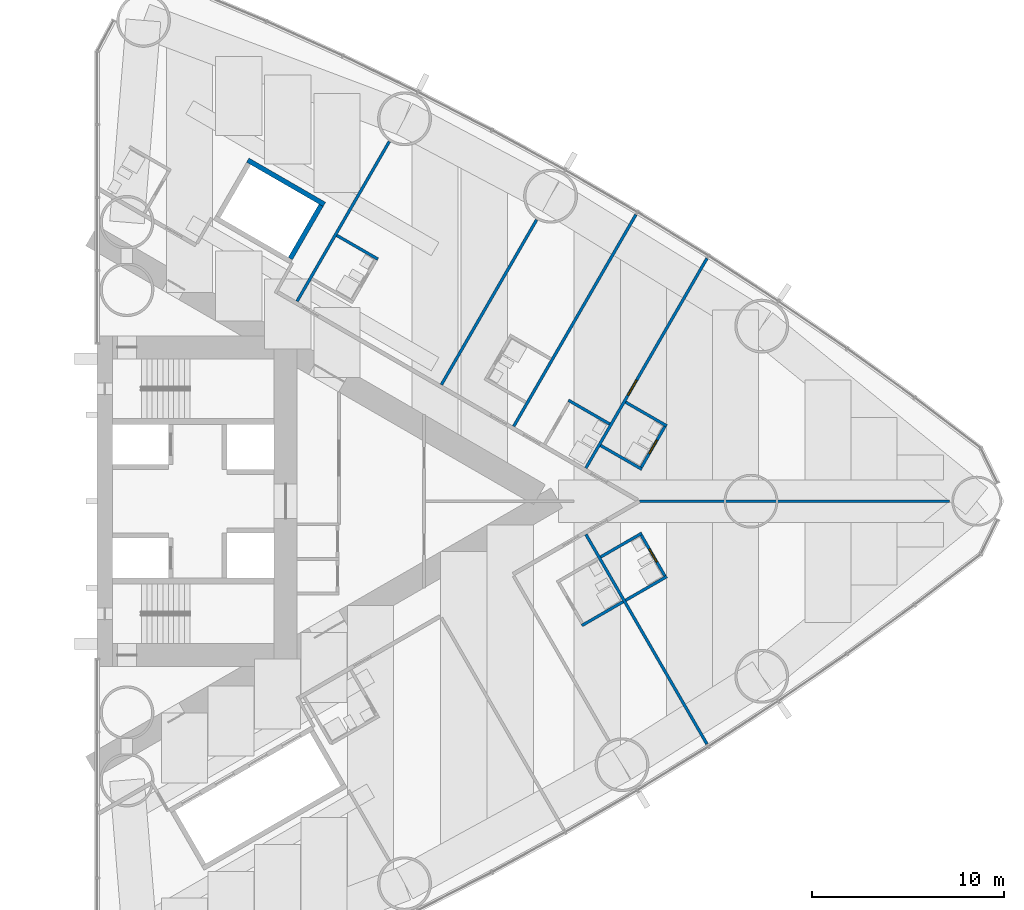
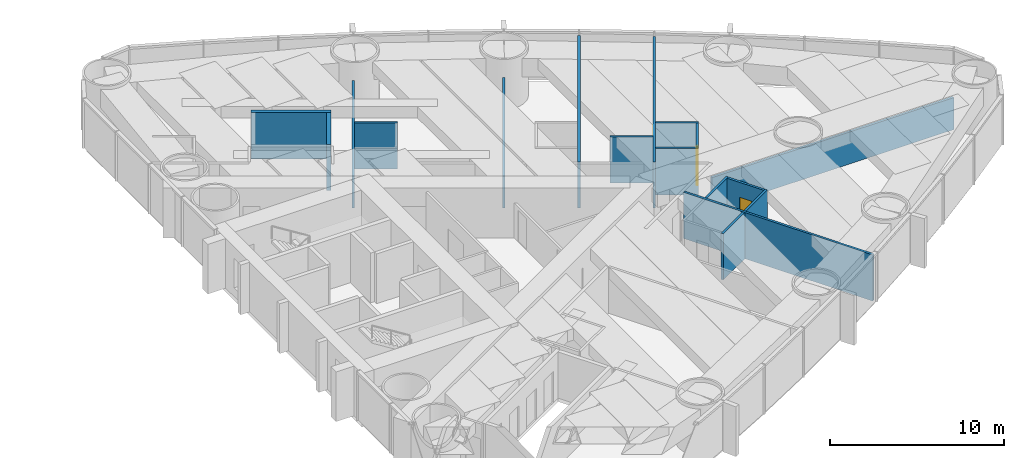
# One storey, part 16 of 19: 17 walls, 3 doors, 3 openings.
"""IFC4 building model written with IfcOpenShell, lengths in metres."""

from ifc_helpers import new_model, si_unit, direction, frame, frame_2d, origin, place, context, subcontext, project, spatial, rectangle, extrude, material, layer, layer_set, type_object, element, fill, save


model = new_model("IFC4")

# Units and contexts
model_context = context("Model", 3, precision=1e-05, world=origin(), true_north=direction((0.0, 1.0)))
body_context = subcontext(model_context, "Body", "Model", "MODEL_VIEW")
ifc_project = project(units=[si_unit("LENGTHUNIT", "METRE"), si_unit("AREAUNIT", "SQUARE_METRE"), si_unit("VOLUMEUNIT", "CUBIC_METRE"), si_unit("PLANEANGLEUNIT", "RADIAN"), si_unit("MASSUNIT", "GRAM", prefix="KILO")], contexts=[model_context])

# Site, building, storey
site_placement = place(None, origin())
site = spatial("IfcSite", under=ifc_project, at=site_placement, CompositionType="ELEMENT")
building_placement = place(site_placement, origin())
building = spatial("IfcBuilding", under=site, at=building_placement, Name="Lancet Gate Hotel", CompositionType="ELEMENT")
storey_placement = place(building_placement, frame((0.0, 0.0, 21.5)))
storey = spatial("IfcBuildingStorey", under=building, at=storey_placement, Name="L04", CompositionType="ELEMENT", Elevation=21.5)

# Walls
ifc_material_1 = material(Name="Moisture resistant board partition")
ifc_layer_1 = layer(ifc_material_1, 0.14990234375)
ifc_layer_set_1 = layer_set([ifc_layer_1], Name="Bathroom wall 150")
wall_type_1 = type_object("IfcWallType", Name="Bathroom wall 150", PredefinedType="PARTITIONING", material=ifc_layer_set_1)
for number, where, z_axis, x_axis, name in (
    (1, (52.706298828125, -6.4638671875, 0.0), (0.0, 0.0, 1.0), (0.86604923931, 0.499958713387, 0.0), "T2 bathroom wall 150 L04"),
    (2, (54.979736328125, -5.1513671875, 0.0), (0.0, 0.0, 1.0), (0.86604923931, 0.499958713387, 0.0), "T2 bathroom wall 150 L04"),
):
    element("IfcWall", number, at=place(storey_placement, frame(where, z_axis=z_axis, x_axis=x_axis)), inside=storey, type_object=wall_type_1, Name=name, PredefinedType="PARTITIONING", context=body_context, shape_type="SweptSolid", body=[
        extrude(rectangle(XDim=2.474853515625, YDim=0.14990234375, at=frame_2d((1.2373046875, 0.0))), origin(), (0.0, 0.0, 1.0), 3.25),
    ])

# Wall, opening, door
wall_1_placement = place(storey_placement, frame((55.758056640625, -1.69970703125, 0.0), z_axis=(0.0, 0.0, 1.0), x_axis=(0.500006934395, -0.866021400173, 0.0)))
wall_1 = element("IfcWall", 3, at=wall_1_placement, inside=storey, type_object=wall_type_1, Name="T2 bathroom wall 150 L04", PredefinedType="PARTITIONING", context=body_context, shape_type="SweptSolid", body=[
    extrude(rectangle(XDim=2.60009765625, YDim=0.14990234375, at=frame_2d((1.300048828125, 0.0))), origin(), (0.0, 0.0, 1.0), 3.25),
])
opening_1_placement = place(wall_1_placement, frame((0.89990234375, 0.0, 0.0)))
opening_1 = element("IfcOpeningElement", 4, at=opening_1_placement, cuts=wall_1, Name="Opening 0457-B", PredefinedType="OPENING", context=body_context, shape_type="SweptSolid", body=[
    extrude(rectangle(XDim=0.800048828125, YDim=2.199951171875, at=frame_2d((0.39990234375, 1.10009765625))), frame((0.0, 0.0849609375, 0.0), z_axis=(0.0, -1.0, 0.0), x_axis=(1.0, 0.0, 0.0)), (0.0, 0.0, 1.0), 0.169921875),
])
ifc_material_2 = material(Name="Timber door set", Category="wood")
door_type_1 = type_object("IfcDoorType", Name="Bathroom door 800", OperationType="SINGLE_SWING_RIGHT", PredefinedType="DOOR", material=ifc_material_2)
door_1_placement = place(opening_1_placement, origin())
door_1 = element("IfcDoor", 5, at=door_1_placement, inside=storey, type_object=door_type_1, Name="0457-B", OperationType="SINGLE_SWING_RIGHT", OverallHeight=2.199951171875, OverallWidth=0.800048828125, PredefinedType="DOOR", context=body_context, shape_type="SweptSolid", body=[
    extrude(rectangle(XDim=0.800048828125, YDim=2.199951171875, at=frame_2d((0.39990234375, 1.10009765625))), frame((0.0, 0.02490234375, 0.0), z_axis=(0.0, -1.0, 0.0), x_axis=(1.0, 0.0, 0.0)), (0.0, 0.0, 1.0), 0.050048828125),
])
fill(opening_1, door_1)

# Walls
for number, where, z_axis, x_axis, name in (
    (6, (53.6796875, -2.89990234375, 0.0), (0.0, 0.0, 1.0), (0.866006523861, 0.500032699561, 0.0), "T2 bathroom wall 150 L04"),
    (7, (54.979736328125, 5.1513671875, 0.0), (0.0, 0.0, 1.0), (0.86604923931, -0.499958713387, 0.0), "T2 bathroom wall 150 L04"),
):
    element("IfcWall", number, at=place(storey_placement, frame(where, z_axis=z_axis, x_axis=x_axis)), inside=storey, type_object=wall_type_1, Name=name, PredefinedType="PARTITIONING", context=body_context, shape_type="SweptSolid", body=[
        extrude(rectangle(XDim=2.474853515625, YDim=0.14990234375, at=frame_2d((1.2373046875, 0.0))), origin(), (0.0, 0.0, 1.0), 3.25),
    ])

# Wall, opening, door
wall_2_placement = place(storey_placement, frame((55.758056640625, 1.69970703125, 0.0), z_axis=(0.0, 0.0, 1.0), x_axis=(0.500006934395, 0.866021400173, 0.0)))
wall_2 = element("IfcWall", 8, at=wall_2_placement, inside=storey, type_object=wall_type_1, Name="T2 bathroom wall 150 L04", PredefinedType="PARTITIONING", context=body_context, shape_type="SweptSolid", body=[
    extrude(rectangle(XDim=2.60009765625, YDim=0.14990234375, at=frame_2d((1.300048828125, 0.0))), origin(), (0.0, 0.0, 1.0), 3.25),
])
opening_2_placement = place(wall_2_placement, frame((0.89990234375, 0.0, 0.0)))
opening_2 = element("IfcOpeningElement", 9, at=opening_2_placement, cuts=wall_2, Name="Opening 0458-B", PredefinedType="OPENING", context=body_context, shape_type="SweptSolid", body=[
    extrude(rectangle(XDim=0.800048828125, YDim=2.199951171875, at=frame_2d((0.39990234375, 1.10009765625))), frame((0.0, 0.0849609375, 0.0), z_axis=(0.0, -1.0, 0.0), x_axis=(1.0, 0.0, 0.0)), (0.0, 0.0, 1.0), 0.169921875),
])
door_2_placement = place(opening_2_placement, origin())
door_2 = element("IfcDoor", 10, at=door_2_placement, inside=storey, type_object=door_type_1, Name="0458-B", OperationType="SINGLE_SWING_RIGHT", OverallHeight=2.199951171875, OverallWidth=0.800048828125, PredefinedType="DOOR", context=body_context, shape_type="SweptSolid", body=[
    extrude(rectangle(XDim=0.800048828125, YDim=2.199951171875, at=frame_2d((0.39990234375, 1.10009765625))), frame((0.0, 0.02490234375, 0.0), z_axis=(0.0, -1.0, 0.0), x_axis=(1.0, 0.0, 0.0)), (0.0, 0.0, 1.0), 0.050048828125),
])
fill(opening_2, door_2)

# Walls
for number, where, z_axis, x_axis, name in (
    (11, (53.6796875, 2.89990234375, 0.0), (0.0, 0.0, 1.0), (0.866006523861, -0.500032699561, 0.0), "T2 bathroom wall 150 L04"),
    (12, (52.00634765625, 5.25146484375, 0.0), (0.0, 0.0, 1.0), (0.866006523861, -0.500032699561, 0.0), "T2 bathroom wall 150 L04"),
    (13, (39.960205078125, 13.822998046875, 0.0), (0.0, 0.0, 1.0), (0.866006523861, -0.500032699561, 0.0), "T2 bathroom wall 150 L04"),
):
    element("IfcWall", number, at=place(storey_placement, frame(where, z_axis=z_axis, x_axis=x_axis)), inside=storey, type_object=wall_type_1, Name=name, PredefinedType="PARTITIONING", context=body_context, shape_type="SweptSolid", body=[
        extrude(rectangle(XDim=2.474853515625, YDim=0.14990234375, at=frame_2d((1.2373046875, 0.0))), origin(), (0.0, 0.0, 1.0), 3.25),
    ])
ifc_material_3 = material(Name="Gypsum board partition")
ifc_layer_2 = layer(ifc_material_3, 0.25)
ifc_layer_set_2 = layer_set([ifc_layer_2], Name="Lift shaft partition 250")
wall_type_2 = type_object("IfcWallType", Name="Lift shaft partition 250", PredefinedType="PARTITIONING", material=ifc_layer_set_2)
wall_3_placement = place(storey_placement, frame((35.33349609375, 17.73583984375, 0.0), z_axis=(0.0, 0.0, 1.0), x_axis=(0.866043305498, -0.49996899204, 0.0)))
element("IfcWall", 14, at=wall_3_placement, inside=storey, type_object=wall_type_2, Name="T2 lift shaft wall EX L04", PredefinedType="PARTITIONING", context=body_context, shape_type="SweptSolid", body=[
    extrude(rectangle(XDim=4.600341796875, YDim=0.25, at=frame_2d((2.30029296875, 0.0))), origin(), (0.0, 0.0, 1.0), 3.25),
])
wall_4_placement = place(storey_placement, frame((37.546630859375, 12.617919921875, 0.0), z_axis=(0.0, 0.0, 1.0), x_axis=(0.499929347863, 0.866066190972, 0.0)))
element("IfcWall", 15, at=wall_4_placement, inside=storey, type_object=wall_type_2, Name="T2 lift shaft wall EX L04", PredefinedType="PARTITIONING", context=body_context, shape_type="SweptSolid", body=[
    extrude(rectangle(XDim=3.20068359375, YDim=0.25, at=frame_2d((1.600341796875, 0.0))), origin(), (0.0, 0.0, 1.0), 3.25),
])
ifc_material_4 = material(Name="Gypsum board partition")
ifc_layer_3 = layer(ifc_material_4, 0.14990234375)
ifc_layer_set_3 = layer_set([ifc_layer_3], Name="Party wall 150")
wall_type_3 = type_object("IfcWallType", Name="Party wall 150", PredefinedType="PARTITIONING", material=ifc_layer_set_3)
wall_5_placement = place(storey_placement, frame((52.914794921875, -1.724853515625, 0.0), z_axis=(0.0, 0.0, 1.0), x_axis=(0.499997163113, -0.866027041656, 0.0)))
element("IfcWall", 16, at=wall_5_placement, inside=storey, type_object=wall_type_3, Name="T2 party wall 150 L04", PredefinedType="PARTITIONING", context=body_context, shape_type="SweptSolid", body=[
    extrude(rectangle(XDim=12.5908203125, YDim=0.14990234375, at=frame_2d((6.29541015625, 0.0))), origin(), (0.0, 0.0, 1.0), 3.25),
])
wall_6_placement = place(storey_placement, frame((37.895263671875, 10.396484375, 0.0), z_axis=(0.0, 0.0, 1.0), x_axis=(0.499995616528, 0.866027934568, 0.0)))
element("IfcWall", 17, at=wall_6_placement, inside=storey, type_object=wall_type_3, Name="T2 party wall 150 L04", PredefinedType="PARTITIONING", context=body_context, shape_type="SweptSolid", body=[
    extrude(rectangle(XDim=9.59326171875, YDim=0.14990234375, at=frame_2d((4.796630859375, 0.0))), origin(), (0.0, 0.0, 1.0), 2.25),
])
wall_7_placement = place(storey_placement, frame((45.40283203125, 6.061767578125, 0.0), z_axis=(0.0, 0.0, 1.0), x_axis=(0.500013434677, 0.866017647131, 0.0)))
element("IfcWall", 18, at=wall_7_placement, inside=storey, type_object=wall_type_3, Name="T2 party wall 150 L04", PredefinedType="PARTITIONING", context=body_context, shape_type="SweptSolid", body=[
    extrude(rectangle(XDim=9.901611328125, YDim=0.14990234375, at=frame_2d((4.95068359375, 0.0))), origin(), (0.0, 0.0, 1.0), 2.25),
])
wall_8_placement = place(storey_placement, frame((49.159423828125, 3.892822265625, 0.0), z_axis=(0.0, 0.0, 1.0), x_axis=(0.499995664361, 0.866027906952, 0.0)))
element("IfcWall", 19, at=wall_8_placement, inside=storey, type_object=wall_type_3, Name="T2 party wall 150 L04", PredefinedType="PARTITIONING", context=body_context, shape_type="SweptSolid", body=[
    extrude(rectangle(XDim=12.71142578125, YDim=0.14990234375, at=frame_2d((6.355712890625, 0.0))), origin(), (0.0, 0.0, 1.0), 3.25),
])

# Wall, opening, door
wall_9_placement = place(storey_placement, frame((52.914794921875, 1.724853515625, 0.0), z_axis=(0.0, 0.0, 1.0), x_axis=(0.499997163113, 0.866027041656, 0.0)))
wall_9 = element("IfcWall", 20, at=wall_9_placement, inside=storey, type_object=wall_type_3, Name="T2 party wall 150 L04", PredefinedType="PARTITIONING", context=body_context, shape_type="SweptSolid", body=[
    extrude(rectangle(XDim=12.5908203125, YDim=0.14990234375, at=frame_2d((6.29541015625, 0.0))), origin(), (0.0, 0.0, 1.0), 3.25),
])
opening_3_placement = place(wall_9_placement, frame((4.375, 0.0, 0.0)))
opening_3 = element("IfcOpeningElement", 21, at=opening_3_placement, cuts=wall_9, Name="Opening 0458C", PredefinedType="OPENING", context=body_context, shape_type="SweptSolid", body=[
    extrude(rectangle(XDim=0.89990234375, YDim=2.199951171875, at=frame_2d((0.449951171875, 1.10009765625))), frame((0.0, 0.0849609375, 0.0), z_axis=(0.0, -1.0, 0.0), x_axis=(1.0, 0.0, 0.0)), (0.0, 0.0, 1.0), 0.169921875),
])
ifc_material_5 = material(Name="Timber door set", Category="wood")
door_type_2 = type_object("IfcDoorType", Name="Connecting door 900", OperationType="SINGLE_SWING_LEFT", PredefinedType="DOOR", material=ifc_material_5)
door_3_placement = place(opening_3_placement, origin())
door_3 = element("IfcDoor", 22, at=door_3_placement, inside=storey, type_object=door_type_2, Name="0458C", OperationType="SINGLE_SWING_LEFT", OverallHeight=2.199951171875, OverallWidth=0.89990234375, PredefinedType="DOOR", context=body_context, shape_type="SweptSolid", body=[
    extrude(rectangle(XDim=0.89990234375, YDim=2.199951171875, at=frame_2d((0.449951171875, 1.10009765625))), frame((0.0, 0.02490234375, 0.0), z_axis=(0.0, -1.0, 0.0), x_axis=(1.0, 0.0, 0.0)), (0.0, 0.0, 1.0), 0.050048828125),
])
fill(opening_3, door_3)

# Wall
wall_10_placement = place(storey_placement, frame((55.7021484375, 0.0, 0.0), z_axis=(0.0, 0.0, 1.0), x_axis=(1.0, 0.0, 0.0)))
element("IfcWall", 23, at=wall_10_placement, inside=storey, type_object=wall_type_3, Name="T2 party wall 150 L04", PredefinedType="PARTITIONING", context=body_context, shape_type="SweptSolid", body=[
    extrude(rectangle(XDim=16.116943359375, YDim=0.14990234375, at=frame_2d((8.05859375, 0.0))), origin(), (0.0, 0.0, 1.0), 2.25),
])

save(model, "model.ifc")
